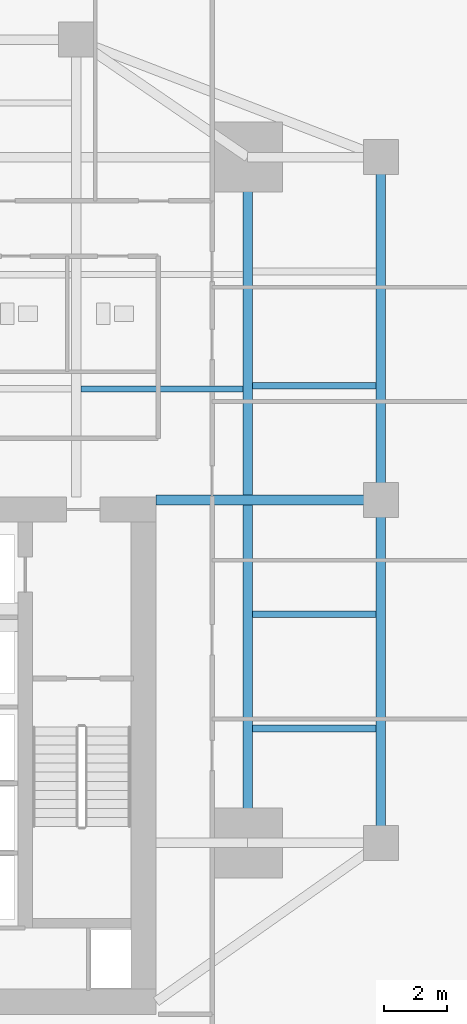
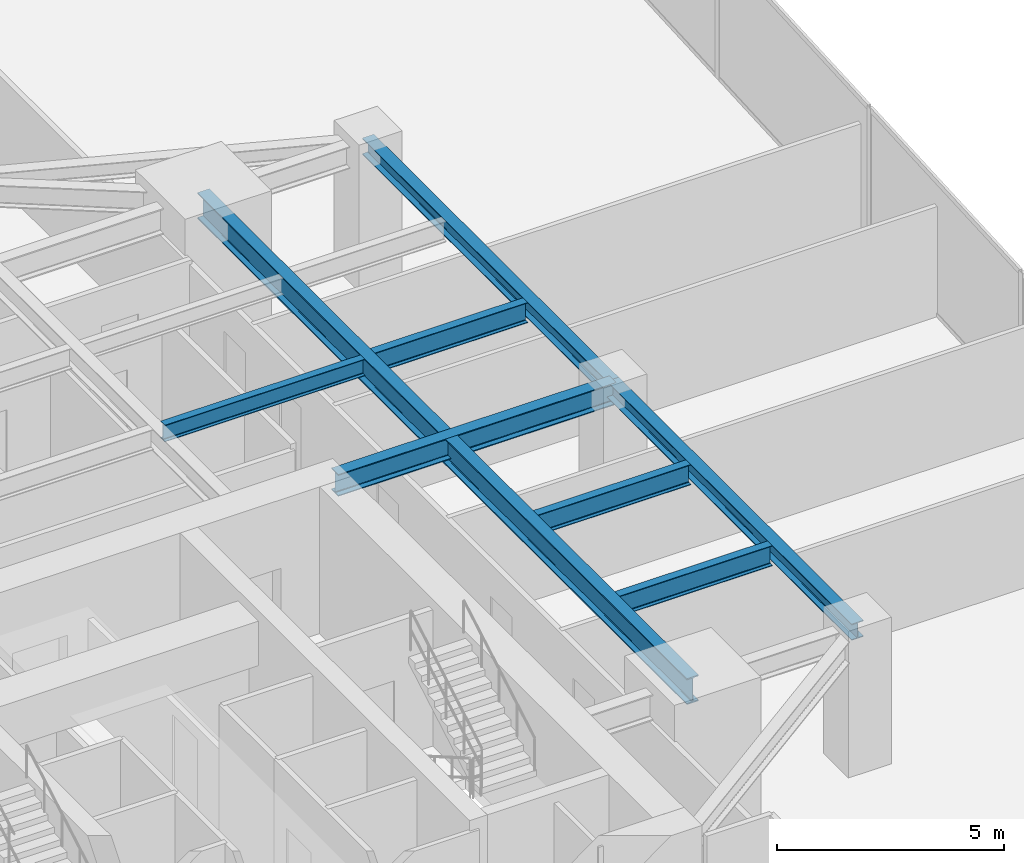
# One storey, part 15 of 30: 8 beams.
"""IFC4 building model written with IfcOpenShell, lengths in metres."""

import ifcopenshell
import ifcopenshell.guid

model = None  # the IFC model being written
_history = None  # IfcOwnerHistory: only IFC2X3 demands one
_inside = {}  # id of a spatial element -> (the spatial element, [elements in it])
_under = {}  # id of a project, library or spatial element -> (it, [spatial elements below it])
_declared = {}  # id of a project -> (the project, [libraries it declares])
_typed = {}  # id of a type object -> (the type object, [elements of that type])
_made_of = {}  # id of a material, layer set ... -> (it, [elements and type objects made of it])


def new_model(schema):
    """Start an empty IFC model of exactly this schema.

    Asked for "IFC4X3", IfcOpenShell would pick the latest addendum, in which some entities
    have other attributes; the version numbers below select the first issue.
    IFC2X3 requires an IfcOwnerHistory on every rooted entity: one is made here for all.
    """
    global model, _history
    if schema == "IFC4X3":
        model = ifcopenshell.file(schema_version=(4, 3, 0, 0))
    else:
        model = ifcopenshell.file(schema=schema)
    _inside.clear()
    _under.clear()
    _declared.clear()
    _typed.clear()
    _made_of.clear()
    _history = None
    if model.schema == "IFC2X3":
        org = make("IfcOrganization", Name="unknown")
        user = make(
            "IfcPersonAndOrganization",
            ThePerson=make("IfcPerson", FamilyName="unknown"),
            TheOrganization=org,
        )
        app = make(
            "IfcApplication",
            ApplicationDeveloper=org,
            Version="unknown",
            ApplicationFullName="unknown",
            ApplicationIdentifier="unknown",
        )
        _history = make(
            "IfcOwnerHistory",
            OwningUser=user,
            OwningApplication=app,
            ChangeAction="ADDED",
            CreationDate=0,
        )
    return model


def make(cls, **values):
    """One entity of the class cls with the attributes given. An attribute that is None is left unset."""
    return model.create_entity(
        cls, **{name: value for name, value in values.items() if value is not None}
    )


def rooted(cls, **values):
    """An entity with a GlobalId (a new one), such as an element, a storey or a relation."""
    return make(cls, GlobalId=ifcopenshell.guid.new(), OwnerHistory=_history, **values)


def si_unit(unit_type, name, prefix=None):
    """IfcSIUnit, for example si_unit("LENGTHUNIT", "METRE", prefix="MILLI")."""
    return make("IfcSIUnit", UnitType=unit_type, Prefix=prefix, Name=name)


def assignment(units):
    """IfcUnitAssignment: the units of a project."""
    return None if units is None else make("IfcUnitAssignment", Units=units)


def point(xyz):
    """IfcCartesianPoint."""
    return None if xyz is None else make("IfcCartesianPoint", Coordinates=xyz)


def direction(xyz):
    """IfcDirection."""
    return None if xyz is None else make("IfcDirection", DirectionRatios=xyz)


def frame(location, z_axis=None, x_axis=None):
    """IfcAxis2Placement3D, a coordinate frame: its origin and axes. An axis left out is left unset."""
    return make(
        "IfcAxis2Placement3D",
        Location=point(location),
        Axis=direction(z_axis),
        RefDirection=direction(x_axis),
    )


def frame_2d(location, x_axis=None):
    """IfcAxis2Placement2D, a coordinate frame in the plane: its origin and x axis."""
    return make(
        "IfcAxis2Placement2D", Location=point(location), RefDirection=direction(x_axis)
    )


def origin():
    """The frame at (0, 0, 0) with its axes left unset."""
    return frame((0.0, 0.0, 0.0))


def origin_2d():
    """The frame at (0, 0) in the plane with its x axis left unset."""
    return frame_2d((0.0, 0.0))


def place(relative_to, where):
    """IfcLocalPlacement: puts the frame where relative to a parent placement (None: the world)."""
    return make(
        "IfcLocalPlacement", PlacementRelTo=relative_to, RelativePlacement=where
    )


def context(
    kind, dimensions, precision=None, world=None, true_north=None, identifier=None
):
    """IfcGeometricRepresentationContext, for example the 3D "Model" context."""
    return make(
        "IfcGeometricRepresentationContext",
        ContextIdentifier=identifier,
        ContextType=kind,
        CoordinateSpaceDimension=dimensions,
        Precision=precision,
        WorldCoordinateSystem=world,
        TrueNorth=true_north,
    )


def subcontext(parent, identifier, kind, view, scale=None):
    """IfcGeometricRepresentationSubContext, for example "Body" below "Model"."""
    return make(
        "IfcGeometricRepresentationSubContext",
        ContextIdentifier=identifier,
        ContextType=kind,
        ParentContext=parent,
        TargetScale=scale,
        TargetView=view,
    )


def project(units=None, contexts=None):
    """IfcProject with its units and contexts."""
    return rooted(
        "IfcProject",
        Name="project",
        RepresentationContexts=contexts,
        UnitsInContext=assignment(units),
    )


def spatial(cls, under=None, at=None, **own):
    """A site, building, storey or space (cls), placed at a placement, below another one or the project."""
    s = rooted(cls, ObjectPlacement=at, **own)
    if under is not None:
        _under.setdefault(under.id(), (under, []))[1].append(s)
    return s


def profile(cls, at=None, kind="AREA", **sizes):
    """A parametric profile (cls). Its sizes go by their IFC names, for example OverallWidth=200.0."""
    return make(cls, ProfileType=kind, Position=at, **sizes)


def i_section(**sizes):
    """IfcIShapeProfileDef."""
    return profile("IfcIShapeProfileDef", **sizes)


def extrude(swept, where, along, depth):
    """IfcExtrudedAreaSolid: the profile swept, set in the frame where, extruded along a direction by depth."""
    return make(
        "IfcExtrudedAreaSolid",
        SweptArea=swept,
        Position=where,
        ExtrudedDirection=direction(along),
        Depth=depth,
    )


def shape(context_of_items, identifier, shape_type, items):
    """IfcShapeRepresentation: the items that make up one representation, for example the "Body"."""
    return make(
        "IfcShapeRepresentation",
        ContextOfItems=context_of_items,
        RepresentationIdentifier=identifier,
        RepresentationType=shape_type,
        Items=items,
    )


def source(mapping_origin, context_of_items, identifier, shape_type, items):
    """IfcRepresentationMap: a shape defined once, which mapped items show again and again."""
    return make(
        "IfcRepresentationMap",
        MappingOrigin=mapping_origin,
        MappedRepresentation=shape(context_of_items, identifier, shape_type, items),
    )


def transform(
    local_origin,
    x_axis=None,
    y_axis=None,
    z_axis=None,
    scale=None,
    scale2=None,
    scale3=None,
    uniform=True,
):
    """IfcCartesianTransformationOperator3D, or its non-uniform kind. x_axis, y_axis, z_axis: its Axis1, 2, 3."""
    if uniform:
        return make(
            "IfcCartesianTransformationOperator3D",
            Axis1=direction(x_axis),
            Axis2=direction(y_axis),
            LocalOrigin=point(local_origin),
            Scale=scale,
            Axis3=direction(z_axis),
        )
    return make(
        "IfcCartesianTransformationOperator3DnonUniform",
        Axis1=direction(x_axis),
        Axis2=direction(y_axis),
        LocalOrigin=point(local_origin),
        Scale=scale,
        Axis3=direction(z_axis),
        Scale2=scale2,
        Scale3=scale3,
    )


def mapped(mapping_source, mapping_target):
    """IfcMappedItem: shows the shape of a source again, moved by a transform."""
    return make(
        "IfcMappedItem", MappingSource=mapping_source, MappingTarget=mapping_target
    )


def material(Name=None, Category=None):
    """IfcMaterial."""
    return make("IfcMaterial", Name=Name, Category=Category)


def material_profile(
    of_material, cross_section, Name=None, Category=None, Priority=None
):
    """IfcMaterialProfile: a cross section and its material."""
    return make(
        "IfcMaterialProfile",
        Name=Name,
        Material=of_material,
        Profile=cross_section,
        Priority=Priority,
        Category=Category,
    )


def profile_set(profiles, Name=None, composite=None):
    """IfcMaterialProfileSet."""
    return make(
        "IfcMaterialProfileSet",
        Name=Name,
        MaterialProfiles=profiles,
        CompositeProfile=composite,
    )


def made_of(thing, what):
    """Note that an element or type object is made of a material, layer set ...; save() writes the relation."""
    if what is not None:
        _made_of.setdefault(what.id(), (what, []))[1].append(thing)
    return thing


def type_object(cls, material=None, **own):
    """A type object (cls), such as IfcWallType, which elements share."""
    return made_of(rooted(cls, **own), material)


def type_shapes(of_type, sources):
    """Give a type object the sources (RepresentationMaps) that its elements show as mapped items."""
    of_type.RepresentationMaps = sources


def element(
    cls,
    number,
    at=None,
    inside=None,
    cuts=None,
    type_object=None,
    material=None,
    context=None,
    identifier="Body",
    shape_type=None,
    held_by="IfcProductDefinitionShape",
    body=None,
    shapes=None,
    **own,
):
    """One element of the class cls, such as IfcWall. Its Tag is "e" and its number.

    at: its placement. inside: the storey or other place that contains it. cuts: it is an
    opening in that element (IfcRelVoidsElement). A single representation is given by context,
    identifier, shape_type and body (its items); several are given by shapes. held_by: the class
    of the entity that holds the representations. save() writes the other relations.
    """
    e = rooted(cls, Tag="e%d" % number, ObjectPlacement=at, **own)
    if body is not None:
        shapes = [shape(context, identifier, shape_type, body)]
    if shapes is not None:
        e.Representation = make(held_by, Representations=shapes)
    if inside is not None:
        _inside.setdefault(inside.id(), (inside, []))[1].append(e)
    if cuts is not None:
        rooted(
            "IfcRelVoidsElement", RelatingBuildingElement=cuts, RelatedOpeningElement=e
        )
    if type_object is not None:
        _typed.setdefault(type_object.id(), (type_object, []))[1].append(e)
    return made_of(e, material)


def aggregate(whole, parts):
    """IfcRelAggregates: a whole, such as a stair, and the parts it consists of."""
    return rooted("IfcRelAggregates", RelatingObject=whole, RelatedObjects=parts)


def save(model, path):
    """Write the relations noted so far, then the file.

    IfcRelAggregates (storeys below a building ...), IfcRelContainedInSpatialStructure (elements
    in a storey), IfcRelDefinesByType, IfcRelAssociatesMaterial and IfcRelDeclares: one each for
    every whole, place, type object, material and project.
    """
    for whole, parts in _under.values():
        aggregate(whole, parts)
    for where, things in _inside.values():
        rooted(
            "IfcRelContainedInSpatialStructure",
            RelatedElements=things,
            RelatingStructure=where,
        )
    for kind, things in _typed.values():
        rooted("IfcRelDefinesByType", RelatedObjects=things, RelatingType=kind)
    for what, things in _made_of.values():
        rooted("IfcRelAssociatesMaterial", RelatedObjects=things, RelatingMaterial=what)
    for by, libraries in _declared.values():
        rooted("IfcRelDeclares", RelatingContext=by, RelatedDefinitions=libraries)
    model.write(path)


model = new_model("IFC4")

# Units and contexts
model_context = context("Model", 3, precision=1e-05, world=origin(), true_north=direction((0.0, 1.0)))
body_context = subcontext(model_context, "Body", "Model", "MODEL_VIEW")
ifc_project = project(units=[si_unit("LENGTHUNIT", "METRE"), si_unit("AREAUNIT", "SQUARE_METRE"), si_unit("VOLUMEUNIT", "CUBIC_METRE"), si_unit("PLANEANGLEUNIT", "RADIAN"), si_unit("MASSUNIT", "GRAM", prefix="KILO")], contexts=[model_context])

# Site, building, storey
site_placement = place(None, origin())
site = spatial("IfcSite", under=ifc_project, at=site_placement, CompositionType="ELEMENT")
building_placement = place(site_placement, origin())
building = spatial("IfcBuilding", under=site, at=building_placement, Name="Krantzveldt Concourse Tower", CompositionType="ELEMENT")
storey_placement = place(building_placement, frame((0.0, 0.0, 36.85009765625)))
storey = spatial("IfcBuildingStorey", under=building, at=storey_placement, Name="L08", CompositionType="ELEMENT", Elevation=36.85009765625)

# Beams
ifc_material_1 = material(Name="Steel S355J2", Category="steel")
ifc_material_profile_1 = material_profile(ifc_material_1, i_section(OverallWidth=0.300048828125, OverallDepth=0.699951171875, WebThickness=0.01708984375, FlangeThickness=0.031982421875, FilletRadius=0.027099609375, at=origin_2d()), Name="Steel S355J2", Category="steel")
ifc_profile_set_1 = profile_set([ifc_material_profile_1], Name="Steel S355J2 - HEB 700")
beam_type_1 = type_object("IfcBeamType", Name="BM-B-HEB700", PredefinedType="BEAM", material=ifc_profile_set_1)
shared_shape_1 = source(origin(), body_context, "Body", "SweptSolid", [
    extrude(i_section(OverallWidth=0.300048828125, OverallDepth=0.699951171875, WebThickness=0.01708984375, FlangeThickness=0.031982421875, FilletRadius=0.027099609375, at=origin_2d()), origin(), (0.0, 0.0, 1.0), 21.60009765625),
])
type_shapes(beam_type_1, [shared_shape_1])
beam_1_placement = place(storey_placement, frame((46.800048828125, 15.89990234375, 3.31982421875), z_axis=(0.0, 1.0, 0.0), x_axis=(-1.0, 0.0, 0.0)))
element("IfcBeam", 1, at=beam_1_placement, inside=storey, type_object=beam_type_1, Name="L08 Tower Girder BG-ME", PredefinedType="BEAM", context=body_context, shape_type="MappedRepresentation", body=[
    mapped(shared_shape_1, transform((0.0, 0.0, 0.0), x_axis=(1.0, 0.0, 0.0), y_axis=(0.0, 1.0, 0.0), z_axis=(0.0, 0.0, 1.0), scale=1.0)),
])
ifc_material_2 = material(Name="Steel S355JR", Category="steel")
ifc_material_profile_2 = material_profile(ifc_material_2, i_section(OverallWidth=0.300048828125, OverallDepth=0.590087890625, WebThickness=0.012939453125, FlangeThickness=0.02490234375, FilletRadius=0.027099609375, at=origin_2d()), Name="Steel S355JR", Category="steel")
ifc_profile_set_2 = profile_set([ifc_material_profile_2], Name="Steel S355JR - HEA 600")
beam_type_2 = type_object("IfcBeamType", Name="BM-B-HEA600", PredefinedType="BEAM", material=ifc_profile_set_2)
shared_shape_2 = source(origin(), body_context, "Body", "SweptSolid", [
    extrude(i_section(OverallWidth=0.300048828125, OverallDepth=0.590087890625, WebThickness=0.012939453125, FlangeThickness=0.02490234375, FilletRadius=0.027099609375, at=origin_2d()), origin(), (0.0, 0.0, 1.0), 7.080078125),
])
type_shapes(beam_type_2, [shared_shape_2])
beam_2_placement = place(storey_placement, frame((43.919921875, 26.699951171875, 3.375), z_axis=(1.0, 0.0, 0.0), x_axis=(0.0, 1.0, 0.0)))
element("IfcBeam", 2, at=beam_2_placement, inside=storey, type_object=beam_type_2, Name="L08 Tower Girder BG-CE2", PredefinedType="BEAM", context=body_context, shape_type="MappedRepresentation", body=[
    mapped(shared_shape_2, transform((0.0, 0.0, 0.0), x_axis=(1.0, 0.0, 0.0), y_axis=(0.0, 1.0, 0.0), z_axis=(0.0, 0.0, 1.0), scale=1.0)),
])
ifc_material_profile_3 = material_profile(ifc_material_2, i_section(OverallWidth=0.300048828125, OverallDepth=0.43994140625, WebThickness=0.011474609375, FlangeThickness=0.02099609375, FilletRadius=0.027099609375, at=origin_2d()), Name="Steel S355JR", Category="steel")
ifc_profile_set_3 = profile_set([ifc_material_profile_3], Name="Steel S355JR - HEA 450")
beam_type_3 = type_object("IfcBeamType", Name="BM-SP-HEA450", PredefinedType="SPANDREL", material=ifc_profile_set_3)
shared_shape_3 = source(origin(), body_context, "Body", "SweptSolid", [
    extrude(i_section(OverallWidth=0.300048828125, OverallDepth=0.43994140625, WebThickness=0.011474609375, FlangeThickness=0.02099609375, FilletRadius=0.027099609375, at=origin_2d()), origin(), (0.0, 0.0, 1.0), 10.800048828125),
])
type_shapes(beam_type_3, [shared_shape_3])
for number, where, z_axis, x_axis, name in (
    (3, (51.0, 37.5, 3.449951171875), (0.0, -1.0, 0.0), (1.0, 0.0, 0.0), "L08 Tower Girder SP-R06"),
    (4, (51.0, 26.699951171875, 3.449951171875), (0.0, -1.0, 0.0), (1.0, 0.0, 0.0), "L08 Tower Girder SP-R07"),
):
    element("IfcBeam", number, at=place(storey_placement, frame(where, z_axis=z_axis, x_axis=x_axis)), inside=storey, type_object=beam_type_3, Name=name, PredefinedType="SPANDREL", context=body_context, shape_type="MappedRepresentation", body=[
        mapped(shared_shape_3, transform((0.0, 0.0, 0.0), x_axis=(1.0, 0.0, 0.0), y_axis=(0.0, 1.0, 0.0), z_axis=(0.0, 0.0, 1.0), scale=1.0)),
    ])
ifc_material_profile_4 = material_profile(ifc_material_2, i_section(OverallWidth=0.18994140625, OverallDepth=0.449951171875, WebThickness=0.009521484375, FlangeThickness=0.0146484375, FilletRadius=0.02099609375, at=origin_2d()), Name="Steel S355JR", Category="steel")
ifc_profile_set_4 = profile_set([ifc_material_profile_4], Name="Steel S355JR - IPE 450")
beam_type_4 = type_object("IfcBeamType", Name="BM-J-IPE450", PredefinedType="JOIST", material=ifc_profile_set_4)
shared_shape_4 = source(origin(), body_context, "Body", "SweptSolid", [
    extrude(i_section(OverallWidth=0.18994140625, OverallDepth=0.449951171875, WebThickness=0.009521484375, FlangeThickness=0.0146484375, FilletRadius=0.02099609375, at=origin_2d()), origin(), (0.0, 0.0, 1.0), 5.099853515625),
])
type_shapes(beam_type_4, [shared_shape_4])
beam_3_placement = place(storey_placement, frame((41.550048828125, 30.199951171875, 3.44482421875), z_axis=(1.0, 0.0, 0.0), x_axis=(0.0, 1.0, 0.0)))
element("IfcBeam", 5, at=beam_3_placement, inside=storey, type_object=beam_type_4, Name="L08 Secondary Floor Joist JN-E1", PredefinedType="JOIST", context=body_context, shape_type="MappedRepresentation", body=[
    mapped(shared_shape_4, transform((0.0, 0.0, 0.0), x_axis=(1.0, 0.0, 0.0), y_axis=(0.0, 1.0, 0.0), z_axis=(0.0, 0.0, 1.0), scale=1.0)),
])
ifc_material_profile_5 = material_profile(ifc_material_2, i_section(OverallWidth=0.2099609375, OverallDepth=0.550048828125, WebThickness=0.010986328125, FlangeThickness=0.01708984375, FilletRadius=0.02392578125, at=origin_2d()), Name="Steel S355JR", Category="steel")
ifc_profile_set_5 = profile_set([ifc_material_profile_5], Name="Steel S355JR - IPE 550")
beam_type_5 = type_object("IfcBeamType", Name="BM-J-IPE550", PredefinedType="JOIST", material=ifc_profile_set_5)
shared_shape_5 = source(origin(), body_context, "Body", "SweptSolid", [
    extrude(i_section(OverallWidth=0.2099609375, OverallDepth=0.550048828125, WebThickness=0.010986328125, FlangeThickness=0.01708984375, FilletRadius=0.02392578125, at=origin_2d()), origin(), (0.0, 0.0, 1.0), 3.900146484375),
])
type_shapes(beam_type_5, [shared_shape_5])
for number, where, z_axis, x_axis, name in (
    (6, (46.949951171875, 19.5, 3.39501953125), (1.0, 0.0, 0.0), (0.0, 1.0, 0.0), "L08 Secondary Floor Joist JE-1"),
    (7, (46.949951171875, 23.10009765625, 3.39501953125), (1.0, 0.0, 0.0), (0.0, 1.0, 0.0), "L08 Secondary Floor Joist JE-2"),
    (8, (46.949951171875, 30.300048828125, 3.39501953125), (1.0, 0.0, 0.0), (0.0, 1.0, 0.0), "L08 Secondary Floor Joist JE-3"),
):
    element("IfcBeam", number, at=place(storey_placement, frame(where, z_axis=z_axis, x_axis=x_axis)), inside=storey, type_object=beam_type_5, Name=name, PredefinedType="JOIST", context=body_context, shape_type="MappedRepresentation", body=[
        mapped(shared_shape_5, transform((0.0, 0.0, 0.0), x_axis=(1.0, 0.0, 0.0), y_axis=(0.0, 1.0, 0.0), z_axis=(0.0, 0.0, 1.0), scale=1.0)),
    ])

save(model, "model.ifc")
